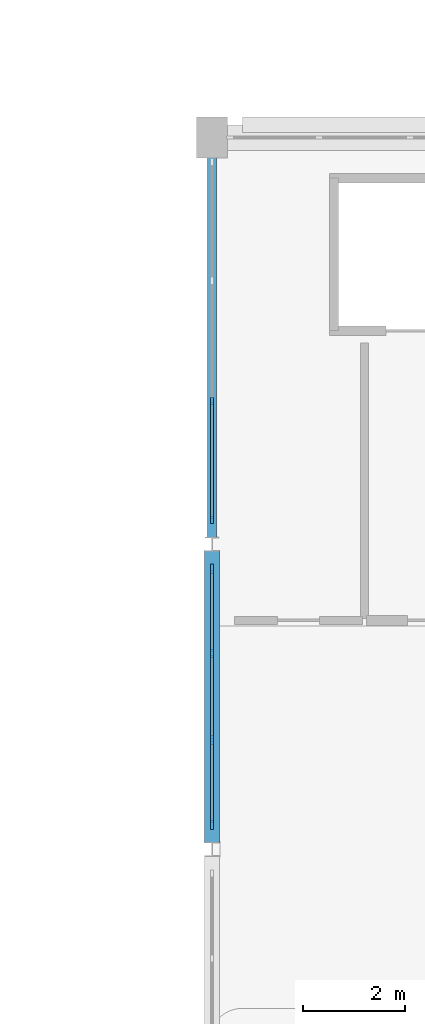
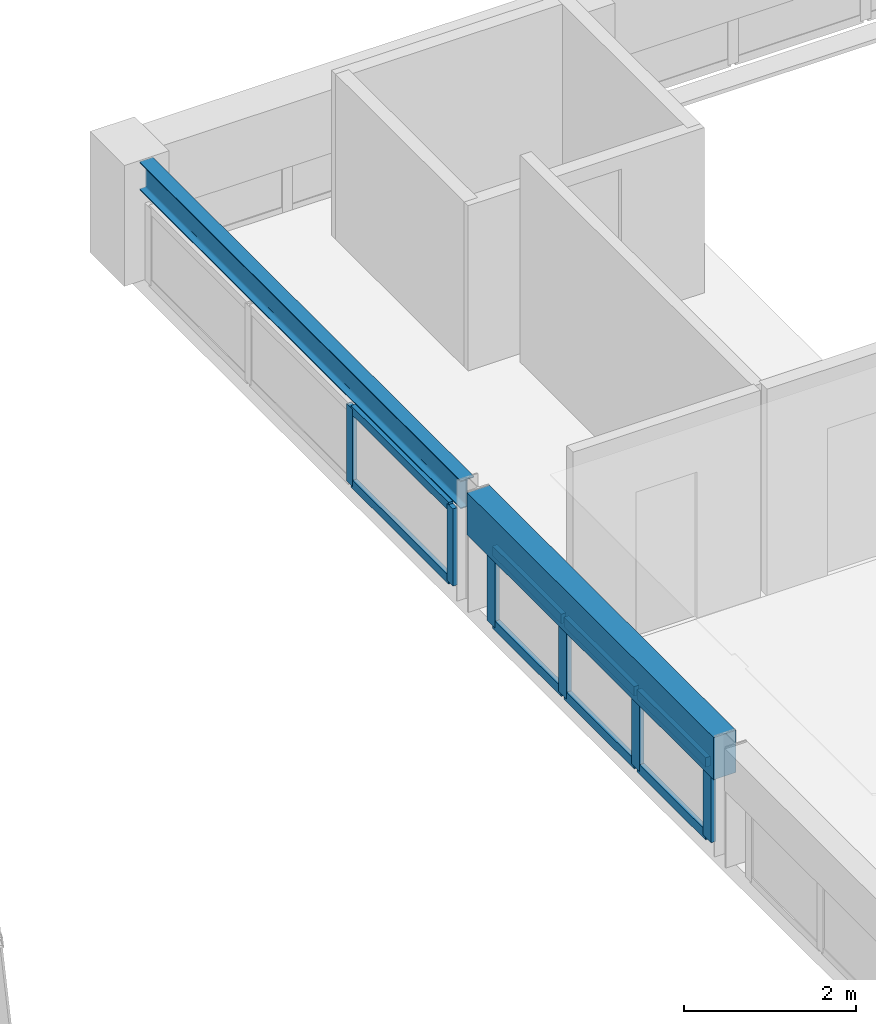
# One storey, part 35 of 137: 14 members, 2 beams, 2 elements without a shape of their own.
"""IFC4 building model written with IfcOpenShell, lengths in metres."""

from ifc_helpers import new_model, si_unit, direction, frame, origin, origin_2d, place, context, subcontext, project, spatial, rectangle, i_section, extrude, material, layer, layer_set, material_profile, profile_set, type_object, element, aggregate, save


model = new_model("IFC4")

# Units and contexts
model_context = context("Model", 3, precision=1e-05, world=origin(), true_north=direction((0.0, 1.0)))
body_context = subcontext(model_context, "Body", "Model", "MODEL_VIEW")
ifc_project = project(units=[si_unit("LENGTHUNIT", "METRE"), si_unit("AREAUNIT", "SQUARE_METRE"), si_unit("VOLUMEUNIT", "CUBIC_METRE"), si_unit("PLANEANGLEUNIT", "RADIAN"), si_unit("MASSUNIT", "GRAM", prefix="KILO"), si_unit("POWERUNIT", "WATT"), si_unit("THERMODYNAMICTEMPERATUREUNIT", "KELVIN")], contexts=[model_context])

# Site, building, storey
site_placement = place(None, origin())
site = spatial("IfcSite", under=ifc_project, at=site_placement, CompositionType="ELEMENT")
building_placement = place(site_placement, origin())
building = spatial("IfcBuilding", under=site, at=building_placement, Name="Ruvembo Vaulted Housing Court", CompositionType="ELEMENT")
storey_placement = place(building_placement, frame((0.0, 0.0, 4.5)))
storey = spatial("IfcBuildingStorey", under=building, at=storey_placement, Name="L01", CompositionType="ELEMENT", Elevation=4.5)

# Beams
ifc_material_1 = material(Name="Concrete C35/45", Category="concrete")
ifc_material_profile_1 = material_profile(ifc_material_1, rectangle(XDim=0.300048828125, YDim=0.60009765625, at=origin_2d()), Name="RC 300x600")
ifc_profile_set_1 = profile_set([ifc_material_profile_1], Name="Concrete C35/45")
beam_type_1 = type_object("IfcBeamType", Name="BM-RC-300x600", PredefinedType="BEAM", material=ifc_profile_set_1)
beam_1_placement = place(storey_placement, frame((66.0, 54.125, 1.39990234375), z_axis=(0.0, 1.0, 0.0), x_axis=(-1.0, 0.0, 0.0)))
element("IfcBeam", 1, at=beam_1_placement, inside=storey, type_object=beam_type_1, Name="L01 Grid Beam Y #1360", PredefinedType="BEAM", context=body_context, shape_type="SweptSolid", body=[
    extrude(rectangle(XDim=0.300048828125, YDim=0.60009765625, at=origin_2d()), origin(), (0.0, 0.0, 1.0), 5.75),
])
ifc_material_2 = material(Name="Steel S355J2", Category="steel")
ifc_material_profile_2 = material_profile(ifc_material_2, i_section(OverallWidth=0.179931640625, OverallDepth=0.39990234375, WebThickness=0.008544921875, FlangeThickness=0.013427734375, FilletRadius=0.02099609375, at=origin_2d()), Name="IPE 400")
ifc_profile_set_2 = profile_set([ifc_material_profile_2], Name="Steel S355J2")
beam_type_2 = type_object("IfcBeamType", Name="BM-ST-IPE400", PredefinedType="BEAM", material=ifc_profile_set_2)
beam_2_placement = place(storey_placement, frame((66.0, 60.125, 1.493896484375), z_axis=(0.0, 1.0, 0.0), x_axis=(-1.0, 0.0, 0.0)))
element("IfcBeam", 2, at=beam_2_placement, inside=storey, type_object=beam_type_2, Name="L01 Grid Beam Y #1361", PredefinedType="BEAM", context=body_context, shape_type="SweptSolid", body=[
    extrude(i_section(OverallWidth=0.179931640625, OverallDepth=0.39990234375, WebThickness=0.008544921875, FlangeThickness=0.013427734375, FilletRadius=0.02099609375, at=origin_2d()), origin(), (0.0, 0.0, 1.0), 7.489990234375),
])

# Curtain wall, members
ifc_material_3 = material(Name="Anodised Aluminium and Solar-Control Glass", Category="aluminium")
ifc_layer = layer(ifc_material_3, 0.179931640625, Name="Anodised Aluminium and Solar-Control Glass")
ifc_layer_set = layer_set([ifc_layer], Name="Anodised Aluminium and Solar-Control Glass")
curtain_wall_type = type_object("IfcCurtainWallType", Name="CW-HALL-TYMP", PredefinedType="NOTDEFINED", material=ifc_layer_set)
curtain_wall_1_placement = place(storey_placement, origin())
curtain_wall_1 = element("IfcCurtainWall", 3, at=curtain_wall_1_placement, inside=storey, type_object=curtain_wall_type, Name="L01 Curtain Wall CW-L01-0120", PredefinedType="NOTDEFINED")
ifc_material_4 = material(Name="Anodised Aluminium 6063-T6", Category="aluminium")
ifc_material_profile_3 = material_profile(ifc_material_4, rectangle(XDim=0.06005859375, YDim=0.139892578125, at=origin_2d()), Name="ALU 60x140")
ifc_profile_set_3 = profile_set([ifc_material_profile_3], Name="Anodised Aluminium 6063-T6")
member_type_1 = type_object("IfcMemberType", Name="CW-MUL-60x140", PredefinedType="MULLION", material=ifc_profile_set_3)
member_1_placement = place(storey_placement, frame((66.0, 60.47998046875, 0.0), z_axis=(0.0, 0.0, 1.0), x_axis=(-1.0, 0.0, 0.0)))
member_1 = element("IfcMember", 4, at=member_1_placement, type_object=member_type_1, Name="CW2 mullion 1", PredefinedType="MULLION", context=body_context, shape_type="SweptSolid", body=[
    extrude(rectangle(XDim=0.06005859375, YDim=0.139892578125, at=origin_2d()), origin(), (0.0, 0.0, 1.0), 1.10009765625),
])
member_2_placement = place(storey_placement, frame((66.0, 62.816650390625, 0.0), z_axis=(0.0, 0.0, 1.0), x_axis=(-1.0, 0.0, 0.0)))
member_2 = element("IfcMember", 5, at=member_2_placement, type_object=member_type_1, Name="CW2 mullion 2", PredefinedType="MULLION", context=body_context, shape_type="SweptSolid", body=[
    extrude(rectangle(XDim=0.06005859375, YDim=0.139892578125, at=origin_2d()), origin(), (0.0, 0.0, 1.0), 1.10009765625),
])

curtain_wall_2_placement = place(storey_placement, origin())
curtain_wall_2 = element("IfcCurtainWall", 6, at=curtain_wall_2_placement, inside=storey, type_object=curtain_wall_type, Name="L01 Curtain Wall CW-L01-0118", PredefinedType="NOTDEFINED")
ifc_material_profile_4 = material_profile(ifc_material_4, rectangle(XDim=0.06494140625, YDim=0.179931640625, at=origin_2d()), Name="ALU 65x180")
ifc_profile_set_4 = profile_set([ifc_material_profile_4], Name="Anodised Aluminium 6063-T6")
member_type_2 = type_object("IfcMemberType", Name="CW-MUL-65x180", PredefinedType="MULLION", material=ifc_profile_set_4)
member_3_placement = place(storey_placement, frame((66.0, 54.482421875, 0.0), z_axis=(0.0, 0.0, 1.0), x_axis=(-1.0, 0.0, 0.0)))
member_3 = element("IfcMember", 7, at=member_3_placement, type_object=member_type_2, Name="CW2 mullion 1", PredefinedType="MULLION", context=body_context, shape_type="SweptSolid", body=[
    extrude(rectangle(XDim=0.06494140625, YDim=0.179931640625, at=origin_2d()), origin(), (0.0, 0.0, 1.0), 1.10009765625),
])
member_4_placement = place(storey_placement, frame((66.0, 56.14990234375, 0.0), z_axis=(0.0, 0.0, 1.0), x_axis=(-1.0, 0.0, 0.0)))
member_4 = element("IfcMember", 8, at=member_4_placement, type_object=member_type_2, Name="CW2 mullion 2", PredefinedType="MULLION", context=body_context, shape_type="SweptSolid", body=[
    extrude(rectangle(XDim=0.06494140625, YDim=0.179931640625, at=origin_2d()), origin(), (0.0, 0.0, 1.0), 1.10009765625),
])
member_5_placement = place(storey_placement, frame((66.0, 57.85009765625, 0.0), z_axis=(0.0, 0.0, 1.0), x_axis=(-1.0, 0.0, 0.0)))
member_5 = element("IfcMember", 9, at=member_5_placement, type_object=member_type_2, Name="CW2 mullion 3", PredefinedType="MULLION", context=body_context, shape_type="SweptSolid", body=[
    extrude(rectangle(XDim=0.06494140625, YDim=0.179931640625, at=origin_2d()), origin(), (0.0, 0.0, 1.0), 1.10009765625),
])
member_6_placement = place(storey_placement, frame((66.0, 59.517578125, 0.0), z_axis=(0.0, 0.0, 1.0), x_axis=(-1.0, 0.0, 0.0)))
member_6 = element("IfcMember", 10, at=member_6_placement, type_object=member_type_2, Name="CW2 mullion 4", PredefinedType="MULLION", context=body_context, shape_type="SweptSolid", body=[
    extrude(rectangle(XDim=0.06494140625, YDim=0.179931640625, at=origin_2d()), origin(), (0.0, 0.0, 1.0), 1.10009765625),
])

# Member
ifc_material_profile_5 = material_profile(ifc_material_4, rectangle(XDim=0.06005859375, YDim=0.1201171875, at=origin_2d()), Name="ALU 60x120")
ifc_profile_set_5 = profile_set([ifc_material_profile_5], Name="Anodised Aluminium 6063-T6")
member_type_3 = type_object("IfcMemberType", Name="CW-TRANSOM-65x120", PredefinedType="USERDEFINED", material=ifc_profile_set_5)
member_7_placement = place(storey_placement, frame((66.0, 60.510009765625, 0.030029296875), z_axis=(0.0, 1.0, 0.0), x_axis=(-1.0, 0.0, 0.0)))
member_7 = element("IfcMember", 11, at=member_7_placement, type_object=member_type_3, Name="CW2 transom 1.1", ObjectType="TRANSOM", PredefinedType="USERDEFINED", context=body_context, shape_type="SweptSolid", body=[
    extrude(rectangle(XDim=0.06005859375, YDim=0.1201171875, at=origin_2d()), origin(), (0.0, 0.0, 1.0), 2.276611328125),
])

member_8_placement = place(storey_placement, frame((66.0, 60.510009765625, 1.070068359375), z_axis=(0.0, 1.0, 0.0), x_axis=(-1.0, 0.0, 0.0)))
member_8 = element("IfcMember", 12, at=member_8_placement, type_object=member_type_3, Name="CW2 transom 1.2", ObjectType="TRANSOM", PredefinedType="USERDEFINED", context=body_context, shape_type="SweptSolid", body=[
    extrude(rectangle(XDim=0.06005859375, YDim=0.1201171875, at=origin_2d()), origin(), (0.0, 0.0, 1.0), 2.276611328125),
])

aggregate(curtain_wall_1, [member_1, member_2, member_7, member_8])

ifc_material_profile_6 = material_profile(ifc_material_4, rectangle(XDim=0.06494140625, YDim=0.135009765625, at=origin_2d()), Name="ALU 65x135")
ifc_profile_set_6 = profile_set([ifc_material_profile_6], Name="Anodised Aluminium 6063-T6")
member_type_4 = type_object("IfcMemberType", Name="CW-TRN-65x135", PredefinedType="USERDEFINED", material=ifc_profile_set_6)
member_9_placement = place(storey_placement, frame((66.0, 54.514892578125, 0.032470703125), z_axis=(0.0, 1.0, 0.0), x_axis=(-1.0, 0.0, 0.0)))
member_9 = element("IfcMember", 13, at=member_9_placement, type_object=member_type_4, Name="CW2 transom 1.1", ObjectType="TRANSOM", PredefinedType="USERDEFINED", context=body_context, shape_type="SweptSolid", body=[
    extrude(rectangle(XDim=0.06494140625, YDim=0.135009765625, at=origin_2d()), origin(), (0.0, 0.0, 1.0), 1.6025390625),
])

member_10_placement = place(storey_placement, frame((66.0, 54.514892578125, 1.0673828125), z_axis=(0.0, 1.0, 0.0), x_axis=(-1.0, 0.0, 0.0)))
member_10 = element("IfcMember", 14, at=member_10_placement, type_object=member_type_4, Name="CW2 transom 1.2", ObjectType="TRANSOM", PredefinedType="USERDEFINED", context=body_context, shape_type="SweptSolid", body=[
    extrude(rectangle(XDim=0.06494140625, YDim=0.135009765625, at=origin_2d()), origin(), (0.0, 0.0, 1.0), 1.6025390625),
])

member_11_placement = place(storey_placement, frame((66.0, 56.1826171875, 0.032470703125), z_axis=(0.0, 1.0, 0.0), x_axis=(-1.0, 0.0, 0.0)))
member_11 = element("IfcMember", 15, at=member_11_placement, type_object=member_type_4, Name="CW2 transom 2.1", ObjectType="TRANSOM", PredefinedType="USERDEFINED", context=body_context, shape_type="SweptSolid", body=[
    extrude(rectangle(XDim=0.06494140625, YDim=0.135009765625, at=origin_2d()), origin(), (0.0, 0.0, 1.0), 1.634765625),
])

member_12_placement = place(storey_placement, frame((66.0, 56.1826171875, 1.0673828125), z_axis=(0.0, 1.0, 0.0), x_axis=(-1.0, 0.0, 0.0)))
member_12 = element("IfcMember", 16, at=member_12_placement, type_object=member_type_4, Name="CW2 transom 2.2", ObjectType="TRANSOM", PredefinedType="USERDEFINED", context=body_context, shape_type="SweptSolid", body=[
    extrude(rectangle(XDim=0.06494140625, YDim=0.135009765625, at=origin_2d()), origin(), (0.0, 0.0, 1.0), 1.634765625),
])

member_13_placement = place(storey_placement, frame((66.0, 57.882568359375, 0.032470703125), z_axis=(0.0, 1.0, 0.0), x_axis=(-1.0, 0.0, 0.0)))
member_13 = element("IfcMember", 17, at=member_13_placement, type_object=member_type_4, Name="CW2 transom 3.1", ObjectType="TRANSOM", PredefinedType="USERDEFINED", context=body_context, shape_type="SweptSolid", body=[
    extrude(rectangle(XDim=0.06494140625, YDim=0.135009765625, at=origin_2d()), origin(), (0.0, 0.0, 1.0), 1.6025390625),
])

member_14_placement = place(storey_placement, frame((66.0, 57.882568359375, 1.0673828125), z_axis=(0.0, 1.0, 0.0), x_axis=(-1.0, 0.0, 0.0)))
member_14 = element("IfcMember", 18, at=member_14_placement, type_object=member_type_4, Name="CW2 transom 3.2", ObjectType="TRANSOM", PredefinedType="USERDEFINED", context=body_context, shape_type="SweptSolid", body=[
    extrude(rectangle(XDim=0.06494140625, YDim=0.135009765625, at=origin_2d()), origin(), (0.0, 0.0, 1.0), 1.6025390625),
])

aggregate(curtain_wall_2, [member_3, member_4, member_5, member_6, member_9, member_10, member_11, member_12, member_13, member_14])

save(model, "model.ifc")
